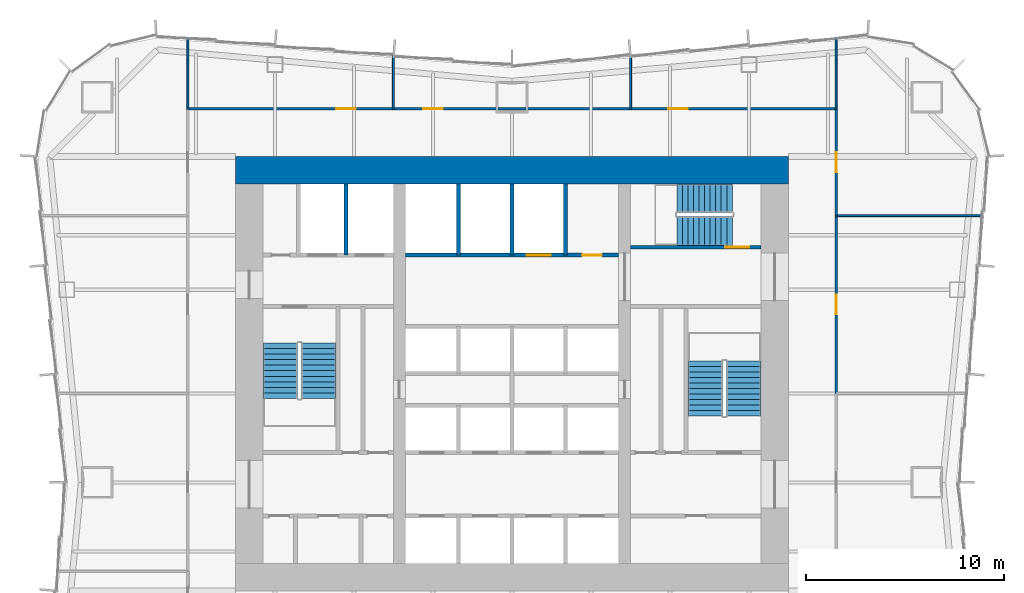
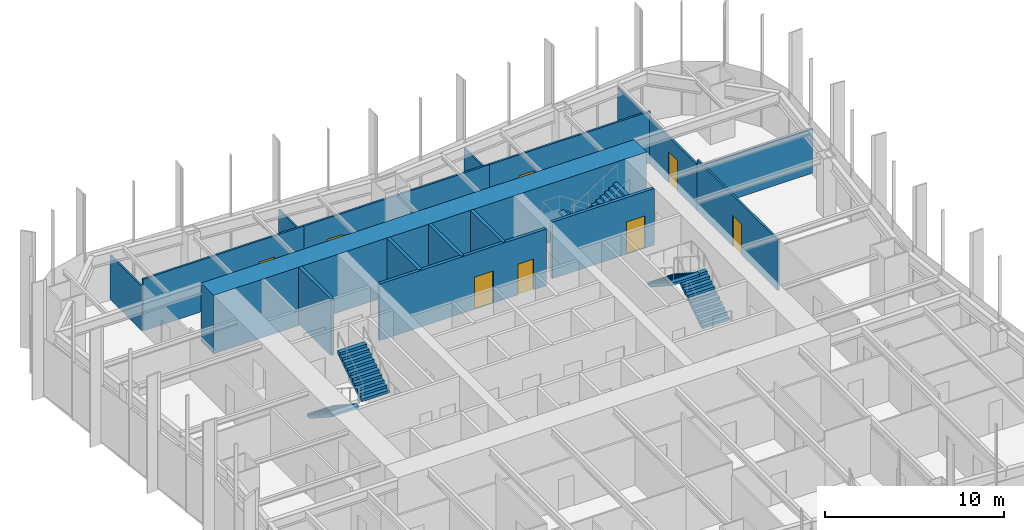
# One storey, part 12 of 13: 17 walls, 8 doors, 6 stair flights, 8 openings, 3 elements without a shape of their own.
"""IFC4 building model written with IfcOpenShell, lengths in metres."""

from ifc_helpers import new_model, si_unit, direction, frame, frame_2d, origin, place, context, subcontext, project, spatial, polyline, rectangle, outline, extrude, material, layer, layer_set, type_object, element, fill, aggregate, save


model = new_model("IFC4")

# Units and contexts
model_context = context("Model", 3, precision=1e-05, world=origin(), true_north=direction((0.0, 1.0)))
body_context = subcontext(model_context, "Body", "Model", "MODEL_VIEW")
ifc_project = project(units=[si_unit("LENGTHUNIT", "METRE"), si_unit("AREAUNIT", "SQUARE_METRE"), si_unit("VOLUMEUNIT", "CUBIC_METRE"), si_unit("PLANEANGLEUNIT", "RADIAN"), si_unit("MASSUNIT", "GRAM", prefix="KILO")], contexts=[model_context])

# Site, building, storey
site_placement = place(None, origin())
site = spatial("IfcSite", under=ifc_project, at=site_placement, CompositionType="ELEMENT")
building_placement = place(site_placement, origin())
building = spatial("IfcBuilding", under=site, at=building_placement, Name="Verdant Reach Tower", CompositionType="ELEMENT")
storey_placement = place(building_placement, frame((0.0, 0.0, 50.0)))
storey = spatial("IfcBuildingStorey", under=building, at=storey_placement, Name="L11", CompositionType="ELEMENT", Elevation=50.0)

# Wall, openings, doors
ifc_material_1 = material(Name="Concrete C40/50", Category="concrete")
ifc_layer_1 = layer(ifc_material_1, 0.199951171875)
ifc_layer_set_1 = layer_set([ifc_layer_1], Name="CO-WALL-SHAFT")
wall_type_1 = type_object("IfcWallType", Name="CO-WALL-SHAFT", PredefinedType="PARTITIONING", material=ifc_layer_set_1)
wall_1_placement = place(storey_placement, frame((-5.39990234375, 34.0, 0.0), z_axis=(0.0, 0.0, 1.0), x_axis=(1.0, 0.0, 0.0)))
wall_1 = element("IfcWall", 1, at=wall_1_placement, inside=storey, type_object=wall_type_1, Name="Lift shaft wall, L11", PredefinedType="PARTITIONING", context=body_context, shape_type="SweptSolid", body=[
    extrude(rectangle(XDim=10.7998046875, YDim=0.199951171875, at=frame_2d((5.39990234375, 0.0))), origin(), (0.0, 0.0, 1.0), 3.8701171875),
])
opening_1_placement = place(wall_1_placement, frame((6.14990234375, 0.0, 0.0)))
opening_1 = element("IfcOpeningElement", 2, at=opening_1_placement, cuts=wall_1, Name="Opening LD-SL1", PredefinedType="OPENING", context=body_context, shape_type="SweptSolid", body=[
    extrude(rectangle(XDim=1.199951171875, YDim=2.199951171875, at=frame_2d((0.60009765625, 1.10009765625))), frame((0.0, 0.10986328125, 0.0), z_axis=(0.0, -1.0, 0.0), x_axis=(1.0, 0.0, 0.0)), (0.0, 0.0, 1.0), 0.219970703125),
])
opening_2_placement = place(wall_1_placement, frame((8.949951171875, 0.0, 0.0)))
opening_2 = element("IfcOpeningElement", 3, at=opening_2_placement, cuts=wall_1, Name="Opening CD", PredefinedType="OPENING", context=body_context, shape_type="SweptSolid", body=[
    extrude(rectangle(XDim=1.0, YDim=2.10009765625, at=frame_2d((0.5, 1.050048828125))), frame((0.0, 0.10986328125, 0.0), z_axis=(0.0, -1.0, 0.0), x_axis=(1.0, 0.0, 0.0)), (0.0, 0.0, 1.0), 0.219970703125),
])
ifc_material_2 = material(Name="Stainless steel", Category="steel")
door_type_1 = type_object("IfcDoorType", Name="CO-DOOR-LANDING", OperationType="SLIDING_TO_LEFT", PredefinedType="DOOR", material=ifc_material_2)
door_1_placement = place(opening_1_placement, origin())
door_1 = element("IfcDoor", 4, at=door_1_placement, inside=storey, type_object=door_type_1, Name="Landing door SL1, L11", OperationType="SLIDING_TO_LEFT", OverallHeight=2.199951171875, OverallWidth=1.199951171875, PredefinedType="DOOR", context=body_context, shape_type="SweptSolid", body=[
    extrude(rectangle(XDim=1.199951171875, YDim=2.199951171875, at=frame_2d((0.60009765625, 1.10009765625))), frame((0.0, 0.02490234375, 0.0), z_axis=(0.0, -1.0, 0.0), x_axis=(1.0, 0.0, 0.0)), (0.0, 0.0, 1.0), 0.050048828125),
])
fill(opening_1, door_1)
ifc_material_3 = material(Name="Timber", Category="wood")
door_type_2 = type_object("IfcDoorType", Name="CO-DOOR-ROOM", OperationType="NOTDEFINED", PredefinedType="DOOR", material=ifc_material_3)
door_2_placement = place(opening_2_placement, origin())
door_2 = element("IfcDoor", 5, at=door_2_placement, inside=storey, type_object=door_type_2, Name="Core room door, L11", OperationType="SINGLE_SWING_LEFT", OverallHeight=2.10009765625, OverallWidth=1.0, PredefinedType="DOOR", context=body_context, shape_type="SweptSolid", body=[
    extrude(rectangle(XDim=1.0, YDim=2.10009765625, at=frame_2d((0.5, 1.050048828125))), frame((0.0, 0.02490234375, 0.0), z_axis=(0.0, -1.0, 0.0), x_axis=(1.0, 0.0, 0.0)), (0.0, 0.0, 1.0), 0.050048828125),
])
fill(opening_2, door_2)

# Walls
for number, where, z_axis, x_axis, name in (
    (6, (-8.39990234375, 34.0, 0.0), (0.0, 0.0, 1.0), (0.0, 1.0, 0.0), "Lift shaft wall, L11"),
    (7, (-2.699951171875, 34.0, 0.0), (0.0, 0.0, 1.0), (0.0, 1.0, 0.0), "Lift shaft wall, L11"),
    (8, (0.0, 34.0, 0.0), (0.0, 0.0, 1.0), (0.0, 1.0, 0.0), "Lift shaft wall, L11"),
    (9, (2.699951171875, 34.0, 0.0), (0.0, 0.0, 1.0), (0.0, 1.0, 0.0), "Lift shaft wall, L11"),
):
    element("IfcWall", number, at=place(storey_placement, frame(where, z_axis=z_axis, x_axis=x_axis)), inside=storey, type_object=wall_type_1, Name=name, PredefinedType="PARTITIONING", context=body_context, shape_type="SweptSolid", body=[
        extrude(rectangle(XDim=3.60009765625, YDim=0.199951171875, at=frame_2d((1.800048828125, 0.0))), origin(), (0.0, 0.0, 1.0), 3.8701171875),
    ])

# Wall, opening, door
ifc_layer_2 = layer(ifc_material_1, 0.199951171875)
ifc_layer_set_2 = layer_set([ifc_layer_2], Name="CO-WALL-STAIR")
wall_type_2 = type_object("IfcWallType", Name="CO-WALL-STAIR", PredefinedType="PARTITIONING", material=ifc_layer_set_2)
wall_2_placement = place(storey_placement, frame((6.0, 34.39990234375, 0.0), z_axis=(0.0, 0.0, 1.0), x_axis=(1.0, 0.0, 0.0)))
wall_2 = element("IfcWall", 10, at=wall_2_placement, inside=storey, type_object=wall_type_2, Name="Stair enclosure wall, L11", PredefinedType="PARTITIONING", context=body_context, shape_type="SweptSolid", body=[
    extrude(rectangle(XDim=6.60009765625, YDim=0.199951171875, at=frame_2d((3.300048828125, 0.0))), origin(), (0.0, 0.0, 1.0), 3.8701171875),
])
opening_3_placement = place(wall_2_placement, frame((4.800048828125, 0.0, 0.0)))
opening_3 = element("IfcOpeningElement", 11, at=opening_3_placement, cuts=wall_2, Name="Opening SD", PredefinedType="OPENING", context=body_context, shape_type="SweptSolid", body=[
    extrude(rectangle(XDim=1.199951171875, YDim=2.199951171875, at=frame_2d((0.60009765625, 1.10009765625))), frame((0.0, 0.10986328125, 0.0), z_axis=(0.0, -1.0, 0.0), x_axis=(1.0, 0.0, 0.0)), (0.0, 0.0, 1.0), 0.219970703125),
])
ifc_material_4 = material(Name="Steel", Category="steel")
door_type_3 = type_object("IfcDoorType", Name="CO-DOOR-STAIR", OperationType="NOTDEFINED", PredefinedType="DOOR", material=ifc_material_4)
door_3_placement = place(opening_3_placement, origin())
door_3 = element("IfcDoor", 12, at=door_3_placement, inside=storey, type_object=door_type_3, Name="Stair door, L11", OperationType="SINGLE_SWING_LEFT", OverallHeight=2.199951171875, OverallWidth=1.199951171875, PredefinedType="DOOR", context=body_context, shape_type="SweptSolid", body=[
    extrude(rectangle(XDim=1.199951171875, YDim=2.199951171875, at=frame_2d((0.60009765625, 1.10009765625))), frame((0.0, 0.02490234375, 0.0), z_axis=(0.0, -1.0, 0.0), x_axis=(1.0, 0.0, 0.0)), (0.0, 0.0, 1.0), 0.050048828125),
])
fill(opening_3, door_3)

# Walls
ifc_material_5 = material(Name="Gypsum board on steel studs", Category="steel")
ifc_layer_3 = layer(ifc_material_5, 0.10009765625)
ifc_layer_set_3 = layer_set([ifc_layer_3], Name="FL-W1 Partition 100")
wall_type_3 = type_object("IfcWallType", Name="FL-W1 Partition 100", PredefinedType="PARTITIONING", material=ifc_layer_set_3)
wall_3_placement = place(storey_placement, frame((-6.0, 41.39990234375, 0.0), z_axis=(0.0, 0.0, 1.0), x_axis=(0.0, 1.0, 0.0)))
element("IfcWall", 13, at=wall_3_placement, inside=storey, type_object=wall_type_3, Name="Partition 11.42", PredefinedType="PARTITIONING", context=body_context, shape_type="SweptSolid", body=[
    extrude(rectangle(XDim=2.68017578125, YDim=0.10009765625, at=frame_2d((1.340087890625, 0.0))), origin(), (0.0, 0.0, 1.0), 3.0400390625),
])
wall_4_placement = place(storey_placement, frame((-16.39990234375, 44.94677734375, 0.0), z_axis=(0.0, 0.0, 1.0), x_axis=(0.0, -1.0, 0.0)))
element("IfcWall", 14, at=wall_4_placement, inside=storey, type_object=wall_type_3, Name="Partition 11.43", PredefinedType="PARTITIONING", context=body_context, shape_type="SweptSolid", body=[
    extrude(rectangle(XDim=3.55078125, YDim=0.10009765625, at=frame_2d((1.775390625, 0.0))), origin(), (0.0, 0.0, 1.0), 3.0400390625),
])
wall_5_placement = place(storey_placement, frame((6.0, 41.39990234375, 0.0), z_axis=(0.0, 0.0, 1.0), x_axis=(0.0, 1.0, 0.0)))
element("IfcWall", 15, at=wall_5_placement, inside=storey, type_object=wall_type_3, Name="Partition 11.44", PredefinedType="PARTITIONING", context=body_context, shape_type="SweptSolid", body=[
    extrude(rectangle(XDim=2.68017578125, YDim=0.10009765625, at=frame_2d((1.340087890625, 0.0))), origin(), (0.0, 0.0, 1.0), 3.0400390625),
])
wall_6_placement = place(storey_placement, frame((16.39990234375, 41.39599609375, 0.0), z_axis=(0.0, 0.0, 1.0), x_axis=(0.0, 1.0, 0.0)))
element("IfcWall", 16, at=wall_6_placement, inside=storey, type_object=wall_type_3, Name="Partition 11.45", PredefinedType="PARTITIONING", context=body_context, shape_type="SweptSolid", body=[
    extrude(rectangle(XDim=3.55078125, YDim=0.10009765625, at=frame_2d((1.775390625, 0.0))), origin(), (0.0, 0.0, 1.0), 3.0400390625),
])
wall_7_placement = place(storey_placement, frame((23.807373046875, 36.0, 0.0), z_axis=(0.0, 0.0, 1.0), x_axis=(-1.0, 0.0, 0.0)))
element("IfcWall", 17, at=wall_7_placement, inside=storey, type_object=wall_type_3, Name="Partition 11.54", PredefinedType="PARTITIONING", context=body_context, shape_type="SweptSolid", body=[
    extrude(rectangle(XDim=7.407470703125, YDim=0.10009765625, at=frame_2d((3.70361328125, 0.0))), origin(), (0.0, 0.0, 1.0), 3.0400390625),
])

# Wall, opening, door
ifc_material_6 = material(Name="Gypsum board on steel studs, fire rated", Category="steel")
ifc_layer_4 = layer(ifc_material_6, 0.125)
ifc_layer_set_4 = layer_set([ifc_layer_4], Name="FL-W2 Corridor wall 125")
wall_type_4 = type_object("IfcWallType", Name="FL-W2 Corridor wall 125", PredefinedType="PARTITIONING", material=ifc_layer_set_4)
wall_8_placement = place(storey_placement, frame((-16.39990234375, 41.39990234375, 0.0), z_axis=(0.0, 0.0, 1.0), x_axis=(1.0, 0.0, 0.0)))
wall_8 = element("IfcWall", 18, at=wall_8_placement, inside=storey, type_object=wall_type_4, Name="Partition 11.08", PredefinedType="PARTITIONING", context=body_context, shape_type="SweptSolid", body=[
    extrude(rectangle(XDim=10.39990234375, YDim=0.125, at=frame_2d((5.199951171875, 0.0))), origin(), (0.0, 0.0, 1.0), 3.5400390625),
])
opening_4_placement = place(wall_8_placement, frame((7.5, 0.0, 0.0)))
opening_4 = element("IfcOpeningElement", 19, at=opening_4_placement, cuts=wall_8, Name="Opening D2", PredefinedType="OPENING", context=body_context, shape_type="SweptSolid", body=[
    extrude(rectangle(XDim=1.0, YDim=2.10009765625, at=frame_2d((0.5, 1.050048828125))), frame((0.0, 0.072509765625, 0.0), z_axis=(0.0, -1.0, 0.0), x_axis=(1.0, 0.0, 0.0)), (0.0, 0.0, 1.0), 0.14501953125),
])
ifc_material_7 = material(Name="Timber door leaf, fire rated", Category="wood")
door_type_4 = type_object("IfcDoorType", Name="FL-D2 Entrance door 1000x2100 FD30", OperationType="NOTDEFINED", PredefinedType="DOOR", material=ifc_material_7)
door_4_placement = place(opening_4_placement, origin())
door_4 = element("IfcDoor", 20, at=door_4_placement, inside=storey, type_object=door_type_4, Name="Door 11-006", OperationType="SINGLE_SWING_RIGHT", OverallHeight=2.10009765625, OverallWidth=1.0, PredefinedType="DOOR", context=body_context, shape_type="SweptSolid", body=[
    extrude(rectangle(XDim=1.0, YDim=2.10009765625, at=frame_2d((0.5, 1.050048828125))), frame((0.0, 0.02490234375, 0.0), z_axis=(0.0, -1.0, 0.0), x_axis=(1.0, 0.0, 0.0)), (0.0, 0.0, 1.0), 0.050048828125),
])
fill(opening_4, door_4)

wall_9_placement = place(storey_placement, frame((-6.0, 41.39990234375, 0.0), z_axis=(0.0, 0.0, 1.0), x_axis=(1.0, 0.0, 0.0)))
wall_9 = element("IfcWall", 21, at=wall_9_placement, inside=storey, type_object=wall_type_4, Name="Partition 11.09", PredefinedType="PARTITIONING", context=body_context, shape_type="SweptSolid", body=[
    extrude(rectangle(XDim=12.0, YDim=0.125, at=frame_2d((6.0, 0.0))), origin(), (0.0, 0.0, 1.0), 3.5400390625),
])
opening_5_placement = place(wall_9_placement, frame((1.5, 0.0, 0.0)))
opening_5 = element("IfcOpeningElement", 22, at=opening_5_placement, cuts=wall_9, Name="Opening D2", PredefinedType="OPENING", context=body_context, shape_type="SweptSolid", body=[
    extrude(rectangle(XDim=1.0, YDim=2.10009765625, at=frame_2d((0.5, 1.050048828125))), frame((0.0, 0.072509765625, 0.0), z_axis=(0.0, -1.0, 0.0), x_axis=(1.0, 0.0, 0.0)), (0.0, 0.0, 1.0), 0.14501953125),
])
door_5_placement = place(opening_5_placement, origin())
door_5 = element("IfcDoor", 23, at=door_5_placement, inside=storey, type_object=door_type_4, Name="Door 11-007", OperationType="SINGLE_SWING_LEFT", OverallHeight=2.10009765625, OverallWidth=1.0, PredefinedType="DOOR", context=body_context, shape_type="SweptSolid", body=[
    extrude(rectangle(XDim=1.0, YDim=2.10009765625, at=frame_2d((0.5, 1.050048828125))), frame((0.0, 0.02490234375, 0.0), z_axis=(0.0, -1.0, 0.0), x_axis=(1.0, 0.0, 0.0)), (0.0, 0.0, 1.0), 0.050048828125),
])
fill(opening_5, door_5)

wall_10_placement = place(storey_placement, frame((6.0, 41.39990234375, 0.0), z_axis=(0.0, 0.0, 1.0), x_axis=(1.0, 0.0, 0.0)))
wall_10 = element("IfcWall", 24, at=wall_10_placement, inside=storey, type_object=wall_type_4, Name="Partition 11.10", PredefinedType="PARTITIONING", context=body_context, shape_type="SweptSolid", body=[
    extrude(rectangle(XDim=10.39990234375, YDim=0.125, at=frame_2d((5.199951171875, 0.0))), origin(), (0.0, 0.0, 1.0), 3.5400390625),
])
opening_6_placement = place(wall_10_placement, frame((1.89990234375, 0.0, 0.0)))
opening_6 = element("IfcOpeningElement", 25, at=opening_6_placement, cuts=wall_10, Name="Opening D2", PredefinedType="OPENING", context=body_context, shape_type="SweptSolid", body=[
    extrude(rectangle(XDim=1.0, YDim=2.10009765625, at=frame_2d((0.5, 1.050048828125))), frame((0.0, 0.072509765625, 0.0), z_axis=(0.0, -1.0, 0.0), x_axis=(1.0, 0.0, 0.0)), (0.0, 0.0, 1.0), 0.14501953125),
])
door_6_placement = place(opening_6_placement, origin())
door_6 = element("IfcDoor", 26, at=door_6_placement, inside=storey, type_object=door_type_4, Name="Door 11-008", OperationType="SINGLE_SWING_LEFT", OverallHeight=2.10009765625, OverallWidth=1.0, PredefinedType="DOOR", context=body_context, shape_type="SweptSolid", body=[
    extrude(rectangle(XDim=1.0, YDim=2.10009765625, at=frame_2d((0.5, 1.050048828125))), frame((0.0, 0.02490234375, 0.0), z_axis=(0.0, -1.0, 0.0), x_axis=(1.0, 0.0, 0.0)), (0.0, 0.0, 1.0), 0.050048828125),
])
fill(opening_6, door_6)

wall_11_placement = place(storey_placement, frame((16.39990234375, 36.0, 0.0), z_axis=(0.0, 0.0, 1.0), x_axis=(0.0, -1.0, 0.0)))
wall_11 = element("IfcWall", 27, at=wall_11_placement, inside=storey, type_object=wall_type_4, Name="Partition 11.18", PredefinedType="PARTITIONING", context=body_context, shape_type="SweptSolid", body=[
    extrude(rectangle(XDim=9.0, YDim=0.125, at=frame_2d((4.5, 0.0))), origin(), (0.0, 0.0, 1.0), 3.47998046875),
])
opening_7_placement = place(wall_11_placement, frame((4.0, 0.0, 0.0)))
opening_7 = element("IfcOpeningElement", 28, at=opening_7_placement, cuts=wall_11, Name="Opening D2", PredefinedType="OPENING", context=body_context, shape_type="SweptSolid", body=[
    extrude(rectangle(XDim=1.0, YDim=2.10009765625, at=frame_2d((0.5, 1.050048828125))), frame((0.0, 0.072509765625, 0.0), z_axis=(0.0, -1.0, 0.0), x_axis=(1.0, 0.0, 0.0)), (0.0, 0.0, 1.0), 0.14501953125),
])
door_7_placement = place(opening_7_placement, origin())
door_7 = element("IfcDoor", 29, at=door_7_placement, inside=storey, type_object=door_type_4, Name="Door 11-015", OperationType="SINGLE_SWING_LEFT", OverallHeight=2.10009765625, OverallWidth=1.0, PredefinedType="DOOR", context=body_context, shape_type="SweptSolid", body=[
    extrude(rectangle(XDim=1.0, YDim=2.10009765625, at=frame_2d((0.5, 1.050048828125))), frame((0.0, 0.02490234375, 0.0), z_axis=(0.0, -1.0, 0.0), x_axis=(1.0, 0.0, 0.0)), (0.0, 0.0, 1.0), 0.050048828125),
])
fill(opening_7, door_7)

wall_12_placement = place(storey_placement, frame((16.39990234375, 41.404052734375, 0.0), z_axis=(0.0, 0.0, 1.0), x_axis=(0.0, -1.0, 0.0)))
wall_12 = element("IfcWall", 30, at=wall_12_placement, inside=storey, type_object=wall_type_4, Name="Partition 11.19", PredefinedType="PARTITIONING", context=body_context, shape_type="SweptSolid", body=[
    extrude(rectangle(XDim=5.404052734375, YDim=0.125, at=frame_2d((2.7021484375, 0.0))), origin(), (0.0, 0.0, 1.0), 3.139892578125),
])
opening_8_placement = place(wall_12_placement, frame((2.201904296875, 0.0, 0.0)))
opening_8 = element("IfcOpeningElement", 31, at=opening_8_placement, cuts=wall_12, Name="Opening D2", PredefinedType="OPENING", context=body_context, shape_type="SweptSolid", body=[
    extrude(rectangle(XDim=1.0, YDim=2.10009765625, at=frame_2d((0.5, 1.050048828125))), frame((0.0, 0.072509765625, 0.0), z_axis=(0.0, -1.0, 0.0), x_axis=(1.0, 0.0, 0.0)), (0.0, 0.0, 1.0), 0.14501953125),
])
door_8_placement = place(opening_8_placement, origin())
door_8 = element("IfcDoor", 32, at=door_8_placement, inside=storey, type_object=door_type_4, Name="Door 11-016", OperationType="SINGLE_SWING_RIGHT", OverallHeight=2.10009765625, OverallWidth=1.0, PredefinedType="DOOR", context=body_context, shape_type="SweptSolid", body=[
    extrude(rectangle(XDim=1.0, YDim=2.10009765625, at=frame_2d((0.5, 1.050048828125))), frame((0.0, 0.02490234375, 0.0), z_axis=(0.0, -1.0, 0.0), x_axis=(1.0, 0.0, 0.0)), (0.0, 0.0, 1.0), 0.050048828125),
])
fill(opening_8, door_8)

# Wall
ifc_material_8 = material(Name="Concrete C70/85", Category="concrete")
ifc_layer_5 = layer(ifc_material_8, 1.39990234375)
ifc_layer_set_5 = layer_set([ifc_layer_5], Name="ST-CORE-WALL-1400")
wall_type_5 = type_object("IfcWallType", Name="ST-CORE-WALL-1400", PredefinedType="SHEAR", material=ifc_layer_set_5)
wall_13_placement = place(storey_placement, frame((-14.0, 38.300048828125, -0.1298828125), z_axis=(0.0, 0.0, 1.0), x_axis=(1.0, 0.0, 0.0)))
element("IfcWall", 33, at=wall_13_placement, inside=storey, type_object=wall_type_5, Name="Core wall N, L11", PredefinedType="SHEAR", context=body_context, shape_type="SweptSolid", body=[
    extrude(rectangle(XDim=28.0, YDim=1.39990234375, at=frame_2d((14.0, 0.0))), origin(), (0.0, 0.0, 1.0), 4.0),
])

# Stair, stair flights
stair_type = type_object("IfcStairType", Name="CO-STAIR", PredefinedType="HALF_TURN_STAIR", material=ifc_material_1)
stair_1_placement = place(storey_placement, origin())
stair_1 = element("IfcStair", 34, at=stair_1_placement, inside=storey, type_object=stair_type, Name="L11 Exit stair 1", PredefinedType="HALF_TURN_STAIR")
stair_flight_type = type_object("IfcStairFlightType", Name="CO-STAIR-FLIGHT", PredefinedType="STRAIGHT", material=ifc_material_1)
stair_flight_1_placement = place(storey_placement, frame((-11.72509765625, 29.550048828125, 0.0), z_axis=(0.0, 0.0, 1.0), x_axis=(0.0, -1.0, 0.0)))
stair_flight_1 = element("IfcStairFlight", 35, at=stair_flight_1_placement, type_object=stair_flight_type, Name="ST-1 flight 1", NumberOfRisers=11, NumberOfTreads=10, PredefinedType="STRAIGHT", RiserHeight=0.181818182, TreadLength=0.28, context=body_context, shape_type="SweptSolid", body=[
    extrude(outline(polyline([(0.0, 0.0), (0.0, 0.181884765625), (0.280029296875, 0.181884765625), (0.280029296875, 0.363525390625), (0.56005859375, 0.363525390625), (0.56005859375, 0.54541015625), (0.840087890625, 0.54541015625), (0.840087890625, 0.727294921875), (1.1201171875, 0.727294921875), (1.1201171875, 0.9091796875), (1.39990234375, 0.9091796875), (1.39990234375, 1.0908203125), (1.679931640625, 1.0908203125), (1.679931640625, 1.272705078125), (1.9599609375, 1.272705078125), (1.9599609375, 1.45458984375), (2.239990234375, 1.45458984375), (2.239990234375, 1.636474609375), (2.52001953125, 1.636474609375), (2.52001953125, 1.818115234375), (2.800048828125, 1.818115234375), (2.800048828125, 2.0), (2.800048828125, 1.639404296875), (0.275146484375, 0.0), (0.0, 0.0)])), frame((0.0, 0.875, 0.0), z_axis=(0.0, -1.0, 0.0), x_axis=(1.0, 0.0, 0.0)), (0.0, 0.0, 1.0), 1.75),
])
stair_flight_2_placement = place(storey_placement, frame((-9.77490234375, 26.75, 2.0), z_axis=(0.0, 0.0, 1.0), x_axis=(0.0, 1.0, 0.0)))
stair_flight_2 = element("IfcStairFlight", 36, at=stair_flight_2_placement, type_object=stair_flight_type, Name="ST-1 flight 2", NumberOfRisers=11, NumberOfTreads=10, PredefinedType="STRAIGHT", RiserHeight=0.181818182, TreadLength=0.28, context=body_context, shape_type="SweptSolid", body=[
    extrude(outline(polyline([(0.0, 0.0), (0.0, 0.181884765625), (0.280029296875, 0.181884765625), (0.280029296875, 0.363525390625), (0.56005859375, 0.363525390625), (0.56005859375, 0.54541015625), (0.840087890625, 0.54541015625), (0.840087890625, 0.727294921875), (1.1201171875, 0.727294921875), (1.1201171875, 0.9091796875), (1.39990234375, 0.9091796875), (1.39990234375, 1.0908203125), (1.679931640625, 1.0908203125), (1.679931640625, 1.272705078125), (1.9599609375, 1.272705078125), (1.9599609375, 1.45458984375), (2.239990234375, 1.45458984375), (2.239990234375, 1.636474609375), (2.52001953125, 1.636474609375), (2.52001953125, 1.818115234375), (2.800048828125, 1.818115234375), (2.800048828125, 2.0), (2.800048828125, 1.639404296875), (0.275146484375, 0.0), (0.0, 0.0)])), frame((0.0, 0.875, 0.0), z_axis=(0.0, -1.0, 0.0), x_axis=(1.0, 0.0, 0.0)), (0.0, 0.0, 1.0), 1.75),
])
aggregate(stair_1, [stair_flight_1, stair_flight_2])

stair_2_placement = place(storey_placement, origin())
stair_2 = element("IfcStair", 37, at=stair_2_placement, inside=storey, type_object=stair_type, Name="L11 Exit stair 2", PredefinedType="HALF_TURN_STAIR")
stair_flight_3_placement = place(storey_placement, frame((11.72509765625, 25.85009765625, 0.0), z_axis=(0.0, 0.0, 1.0), x_axis=(0.0, 1.0, 0.0)))
stair_flight_3 = element("IfcStairFlight", 38, at=stair_flight_3_placement, type_object=stair_flight_type, Name="ST-2 flight 1", NumberOfRisers=11, NumberOfTreads=10, PredefinedType="STRAIGHT", RiserHeight=0.181818182, TreadLength=0.28, context=body_context, shape_type="SweptSolid", body=[
    extrude(outline(polyline([(0.0, 0.0), (0.0, 0.181884765625), (0.280029296875, 0.181884765625), (0.280029296875, 0.363525390625), (0.56005859375, 0.363525390625), (0.56005859375, 0.54541015625), (0.840087890625, 0.54541015625), (0.840087890625, 0.727294921875), (1.1201171875, 0.727294921875), (1.1201171875, 0.9091796875), (1.39990234375, 0.9091796875), (1.39990234375, 1.0908203125), (1.679931640625, 1.0908203125), (1.679931640625, 1.272705078125), (1.9599609375, 1.272705078125), (1.9599609375, 1.45458984375), (2.239990234375, 1.45458984375), (2.239990234375, 1.636474609375), (2.52001953125, 1.636474609375), (2.52001953125, 1.818115234375), (2.800048828125, 1.818115234375), (2.800048828125, 2.0), (2.800048828125, 1.639404296875), (0.275146484375, 0.0), (0.0, 0.0)])), frame((0.0, 0.875, 0.0), z_axis=(0.0, -1.0, 0.0), x_axis=(1.0, 0.0, 0.0)), (0.0, 0.0, 1.0), 1.75),
])
stair_flight_4_placement = place(storey_placement, frame((9.77490234375, 28.64990234375, 2.0), z_axis=(0.0, 0.0, 1.0), x_axis=(0.0, -1.0, 0.0)))
stair_flight_4 = element("IfcStairFlight", 39, at=stair_flight_4_placement, type_object=stair_flight_type, Name="ST-2 flight 2", NumberOfRisers=11, NumberOfTreads=10, PredefinedType="STRAIGHT", RiserHeight=0.181818182, TreadLength=0.28, context=body_context, shape_type="SweptSolid", body=[
    extrude(outline(polyline([(0.0, 0.0), (0.0, 0.181884765625), (0.280029296875, 0.181884765625), (0.280029296875, 0.363525390625), (0.56005859375, 0.363525390625), (0.56005859375, 0.54541015625), (0.840087890625, 0.54541015625), (0.840087890625, 0.727294921875), (1.1201171875, 0.727294921875), (1.1201171875, 0.9091796875), (1.39990234375, 0.9091796875), (1.39990234375, 1.0908203125), (1.679931640625, 1.0908203125), (1.679931640625, 1.272705078125), (1.9599609375, 1.272705078125), (1.9599609375, 1.45458984375), (2.239990234375, 1.45458984375), (2.239990234375, 1.636474609375), (2.52001953125, 1.636474609375), (2.52001953125, 1.818115234375), (2.800048828125, 1.818115234375), (2.800048828125, 2.0), (2.800048828125, 1.639404296875), (0.275146484375, 0.0), (0.0, 0.0)])), frame((0.0, 0.875, 0.0), z_axis=(0.0, -1.0, 0.0), x_axis=(1.0, 0.0, 0.0)), (0.0, 0.0, 1.0), 1.75),
])
aggregate(stair_2, [stair_flight_3, stair_flight_4])

stair_3_placement = place(storey_placement, origin())
stair_3 = element("IfcStair", 40, at=stair_3_placement, inside=storey, type_object=stair_type, Name="L11 Exit stair 3", PredefinedType="HALF_TURN_STAIR")
stair_flight_5_placement = place(storey_placement, frame((11.14990234375, 36.875, 0.0), z_axis=(0.0, 0.0, 1.0), x_axis=(-1.0, 0.0, 0.0)))
stair_flight_5 = element("IfcStairFlight", 41, at=stair_flight_5_placement, type_object=stair_flight_type, Name="ST-3 flight 1", NumberOfRisers=11, NumberOfTreads=10, PredefinedType="STRAIGHT", RiserHeight=0.181818182, TreadLength=0.28, context=body_context, shape_type="SweptSolid", body=[
    extrude(outline(polyline([(0.0, 0.0), (0.0, 0.181884765625), (0.280029296875, 0.181884765625), (0.280029296875, 0.363525390625), (0.56005859375, 0.363525390625), (0.56005859375, 0.54541015625), (0.840087890625, 0.54541015625), (0.840087890625, 0.727294921875), (1.1201171875, 0.727294921875), (1.1201171875, 0.9091796875), (1.39990234375, 0.9091796875), (1.39990234375, 1.0908203125), (1.679931640625, 1.0908203125), (1.679931640625, 1.272705078125), (1.9599609375, 1.272705078125), (1.9599609375, 1.45458984375), (2.239990234375, 1.45458984375), (2.239990234375, 1.636474609375), (2.52001953125, 1.636474609375), (2.52001953125, 1.818115234375), (2.800048828125, 1.818115234375), (2.800048828125, 2.0), (2.800048828125, 1.639404296875), (0.275146484375, 0.0), (0.0, 0.0)])), frame((0.0, 0.72509765625, 0.0), z_axis=(0.0, -1.0, 0.0), x_axis=(1.0, 0.0, 0.0)), (0.0, 0.0, 1.0), 1.449951171875),
])
stair_flight_6_placement = place(storey_placement, frame((8.35009765625, 35.22509765625, 2.0), z_axis=(0.0, 0.0, 1.0), x_axis=(1.0, 0.0, 0.0)))
stair_flight_6 = element("IfcStairFlight", 42, at=stair_flight_6_placement, type_object=stair_flight_type, Name="ST-3 flight 2", NumberOfRisers=11, NumberOfTreads=10, PredefinedType="STRAIGHT", RiserHeight=0.181818182, TreadLength=0.28, context=body_context, shape_type="SweptSolid", body=[
    extrude(outline(polyline([(0.0, 0.0), (0.0, 0.181884765625), (0.280029296875, 0.181884765625), (0.280029296875, 0.363525390625), (0.56005859375, 0.363525390625), (0.56005859375, 0.54541015625), (0.840087890625, 0.54541015625), (0.840087890625, 0.727294921875), (1.1201171875, 0.727294921875), (1.1201171875, 0.9091796875), (1.39990234375, 0.9091796875), (1.39990234375, 1.0908203125), (1.679931640625, 1.0908203125), (1.679931640625, 1.272705078125), (1.9599609375, 1.272705078125), (1.9599609375, 1.45458984375), (2.239990234375, 1.45458984375), (2.239990234375, 1.636474609375), (2.52001953125, 1.636474609375), (2.52001953125, 1.818115234375), (2.800048828125, 1.818115234375), (2.800048828125, 2.0), (2.800048828125, 1.639404296875), (0.275146484375, 0.0), (0.0, 0.0)])), frame((0.0, 0.72509765625, 0.0), z_axis=(0.0, -1.0, 0.0), x_axis=(1.0, 0.0, 0.0)), (0.0, 0.0, 1.0), 1.449951171875),
])
aggregate(stair_3, [stair_flight_5, stair_flight_6])

save(model, "model.ifc")
